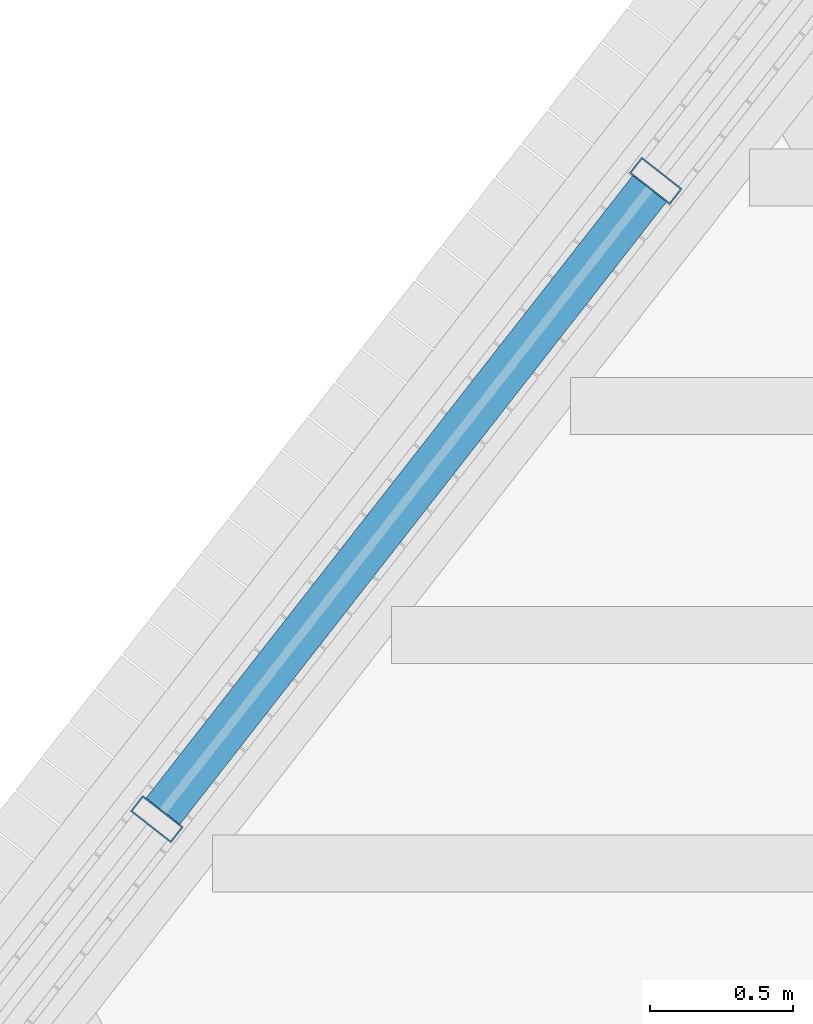
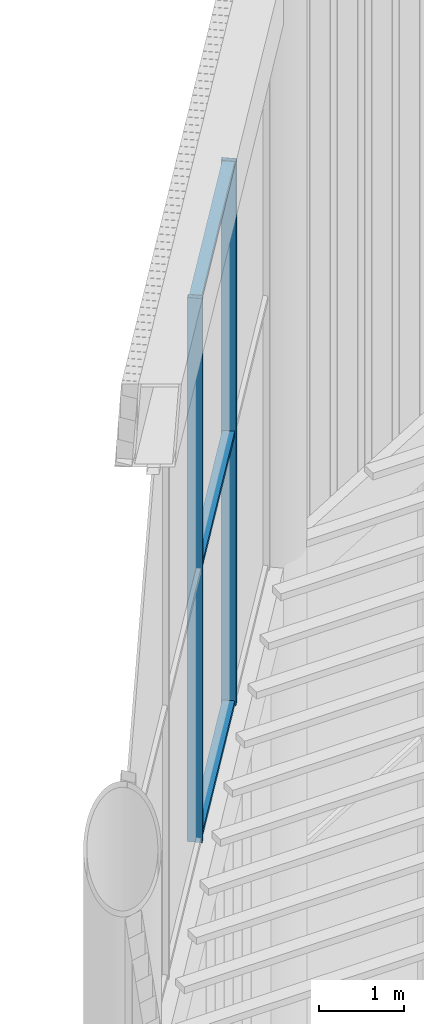
# One storey, part 45 of 117: 5 members, 1 element without a shape of its own.
"""IFC4 building model written with IfcOpenShell, lengths in metres."""

from ifc_helpers import new_model, si_unit, direction, frame, origin, origin_2d, place, context, subcontext, project, spatial, hollow_rectangle, extrude, material, layer, layer_set, material_profile, profile_set, type_object, element, aggregate, save


model = new_model("IFC4")

# Units and contexts
model_context = context("Model", 3, precision=1e-05, world=origin(), true_north=direction((0.0, 1.0)))
body_context = subcontext(model_context, "Body", "Model", "MODEL_VIEW")
ifc_project = project(units=[si_unit("LENGTHUNIT", "METRE"), si_unit("AREAUNIT", "SQUARE_METRE"), si_unit("VOLUMEUNIT", "CUBIC_METRE"), si_unit("PLANEANGLEUNIT", "RADIAN"), si_unit("MASSUNIT", "GRAM", prefix="KILO")], contexts=[model_context])

# Site, building, storey
site_placement = place(None, origin())
site = spatial("IfcSite", under=ifc_project, at=site_placement, CompositionType="ELEMENT")
building_placement = place(site_placement, origin())
building = spatial("IfcBuilding", under=site, at=building_placement, Name="Tarsis Ring Headquarters", CompositionType="ELEMENT")
storey_placement = place(building_placement, frame((0.0, 0.0, 403.60009765625)))
storey = spatial("IfcBuildingStorey", under=building, at=storey_placement, Name="L95", CompositionType="ELEMENT", Elevation=403.60009765625)

# Curtain wall, members
ifc_material_1 = material(Name="Aluminium curtain wall", Category="aluminium")
ifc_layer = layer(ifc_material_1, 0.179931640625)
ifc_layer_set = layer_set([ifc_layer], Name="Curtain wall crown glazing")
curtain_wall_type = type_object("IfcCurtainWallType", Name="Curtain wall crown glazing", PredefinedType="NOTDEFINED", material=ifc_layer_set)
curtain_wall_placement = place(storey_placement, origin())
curtain_wall = element("IfcCurtainWall", 1, at=curtain_wall_placement, inside=storey, type_object=curtain_wall_type, Name="Crown glazing U12", PredefinedType="NOTDEFINED")
ifc_material_2 = material(Name="Aluminium mullion", Category="aluminium")
ifc_material_profile_1 = material_profile(ifc_material_2, hollow_rectangle(XDim=0.179931640625, YDim=0.070068359375, WallThickness=0.0048828125, at=origin_2d()), Name="RHS 180x70x5")
ifc_profile_set_1 = profile_set([ifc_material_profile_1], Name="Aluminium mullion")
member_type_1 = type_object("IfcMemberType", Name="Crown glazing mullion RHS 180x70x5", PredefinedType="MULLION", material=ifc_profile_set_1)
member_1_placement = place(storey_placement, frame((-20.623291015625, 19.7236328125, 14.39990234375), z_axis=(0.0, 0.0, 1.0), x_axis=(0.787755298297, -0.615988303465, 0.0)))
member_1 = element("IfcMember", 2, at=member_1_placement, type_object=member_type_1, Name="CW-C mullion 2", PredefinedType="MULLION", context=body_context, shape_type="SweptSolid", body=[
    extrude(hollow_rectangle(XDim=0.179931640625, YDim=0.070068359375, WallThickness=0.0048828125, at=origin_2d()), origin(), (0.0, 0.0, 1.0), 7.800048828125),
])
member_2_placement = place(storey_placement, frame((-22.36865234375, 17.4912109375, 14.39990234375), z_axis=(0.0, 0.0, 1.0), x_axis=(0.787755298297, -0.615988303465, 0.0)))
member_2 = element("IfcMember", 3, at=member_2_placement, type_object=member_type_1, Name="CW-C mullion 3", PredefinedType="MULLION", context=body_context, shape_type="SweptSolid", body=[
    extrude(hollow_rectangle(XDim=0.179931640625, YDim=0.070068359375, WallThickness=0.0048828125, at=origin_2d()), origin(), (0.0, 0.0, 1.0), 7.800048828125),
])
ifc_material_3 = material(Name="Aluminium transom", Category="aluminium")
ifc_material_profile_2 = material_profile(ifc_material_3, hollow_rectangle(XDim=0.14990234375, YDim=0.070068359375, WallThickness=0.0048828125, at=origin_2d()), Name="RHS 150x70x5")
ifc_profile_set_2 = profile_set([ifc_material_profile_2], Name="Aluminium transom")
member_type_2 = type_object("IfcMemberType", Name="Crown glazing transom RHS 150x70x5", PredefinedType="USERDEFINED", material=ifc_profile_set_2)
member_3_placement = place(storey_placement, frame((-20.644775390625, 19.696044921875, 14.434814453125), z_axis=(-0.615962834743, -0.787775212999, 0.0), x_axis=(0.787775212999, -0.615962834743, 0.0)))
member_3 = element("IfcMember", 4, at=member_3_placement, type_object=member_type_2, Name="CW-C transom 2.1", ObjectType="TRANSOM", PredefinedType="USERDEFINED", context=body_context, shape_type="SweptSolid", body=[
    extrude(hollow_rectangle(XDim=0.14990234375, YDim=0.070068359375, WallThickness=0.0048828125, at=origin_2d()), origin(), (0.0, 0.0, 1.0), 2.763671875),
])
member_4_placement = place(storey_placement, frame((-20.644775390625, 19.696044921875, 18.2998046875), z_axis=(-0.615962834743, -0.787775212999, 0.0), x_axis=(0.787775212999, -0.615962834743, 0.0)))
member_4 = element("IfcMember", 5, at=member_4_placement, type_object=member_type_2, Name="CW-C transom 2.2", ObjectType="TRANSOM", PredefinedType="USERDEFINED", context=body_context, shape_type="SweptSolid", body=[
    extrude(hollow_rectangle(XDim=0.14990234375, YDim=0.070068359375, WallThickness=0.0048828125, at=origin_2d()), origin(), (0.0, 0.0, 1.0), 2.763671875),
])
member_5_placement = place(storey_placement, frame((-20.644775390625, 19.696044921875, 22.164794921875), z_axis=(-0.615962834743, -0.787775212999, 0.0), x_axis=(0.787775212999, -0.615962834743, 0.0)))
member_5 = element("IfcMember", 6, at=member_5_placement, type_object=member_type_2, Name="CW-C transom 2.3", ObjectType="TRANSOM", PredefinedType="USERDEFINED", context=body_context, shape_type="SweptSolid", body=[
    extrude(hollow_rectangle(XDim=0.14990234375, YDim=0.070068359375, WallThickness=0.0048828125, at=origin_2d()), origin(), (0.0, 0.0, 1.0), 2.763671875),
])
aggregate(curtain_wall, [member_1, member_2, member_3, member_4, member_5])

save(model, "model.ifc")
